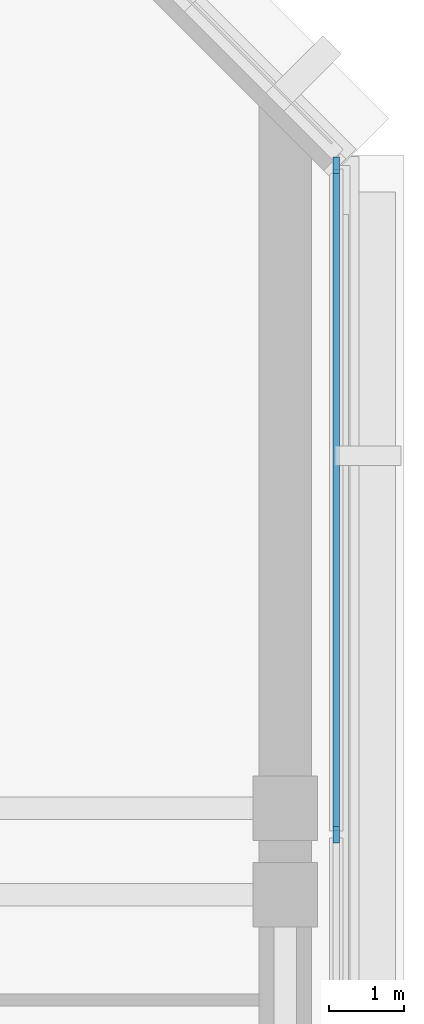
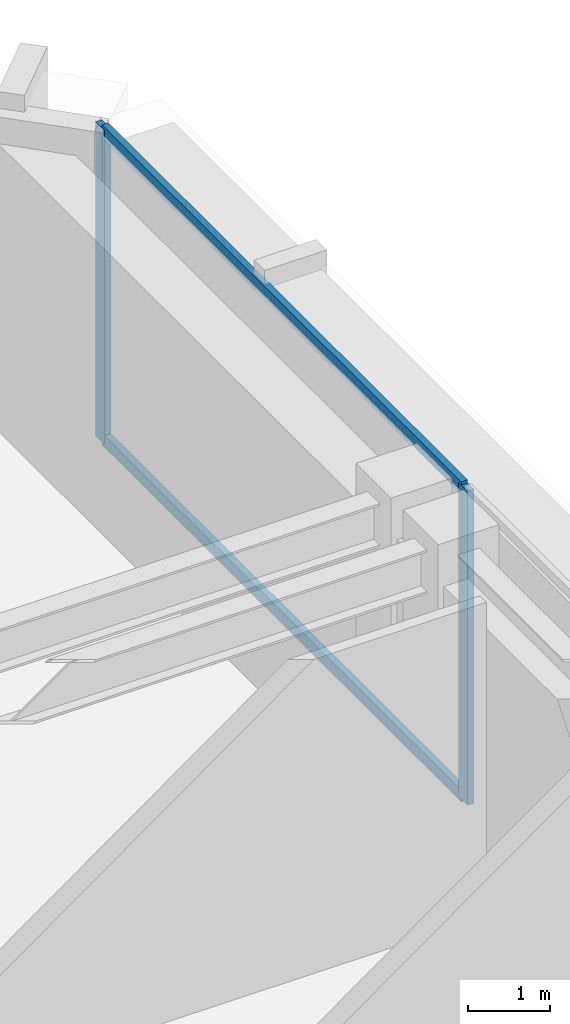
# One storey, part 5 of 12: 4 members, 1 element without a shape of its own.
"""IFC4 building model written with IfcOpenShell, lengths in metres."""

from ifc_helpers import new_model, si_unit, direction, frame, origin, origin_2d, place, context, subcontext, project, spatial, rectangle, extrude, material, layer, layer_set, material_profile, profile_set, type_object, element, aggregate, save


model = new_model("IFC4")

# Units and contexts
model_context = context("Model", 3, precision=1e-05, world=origin(), true_north=direction((0.0, 1.0)))
body_context = subcontext(model_context, "Body", "Model", "MODEL_VIEW")
ifc_project = project(units=[si_unit("LENGTHUNIT", "METRE"), si_unit("AREAUNIT", "SQUARE_METRE"), si_unit("VOLUMEUNIT", "CUBIC_METRE"), si_unit("PLANEANGLEUNIT", "RADIAN"), si_unit("MASSUNIT", "GRAM", prefix="KILO")], contexts=[model_context])

# Site, building, storey
site_placement = place(None, origin())
site = spatial("IfcSite", under=ifc_project, at=site_placement, CompositionType="ELEMENT")
building_placement = place(site_placement, origin())
building = spatial("IfcBuilding", under=site, at=building_placement, Name="Kefirva Bronze Tower", CompositionType="ELEMENT")
storey_placement = place(building_placement, frame((0.0, 0.0, 174.570068359375)))
storey = spatial("IfcBuildingStorey", under=building, at=storey_placement, Name="L42", CompositionType="ELEMENT", Elevation=174.570068359375)

# Curtain wall, members
ifc_material = material(Name="Bronze anodised aluminium", Category="aluminium")
ifc_layer = layer(ifc_material, 0.219970703125, Name="Bronze anodised aluminium")
ifc_layer_set = layer_set([ifc_layer], Name="Bronze anodised aluminium")
curtain_wall_type = type_object("IfcCurtainWallType", Name="Refuge Acoustic Louvre Curtain Screen", PredefinedType="USERDEFINED", material=ifc_layer_set)
curtain_wall_placement = place(storey_placement, origin())
curtain_wall = element("IfcCurtainWall", 1, at=curtain_wall_placement, inside=storey, type_object=curtain_wall_type, Name="L42 Curtain Wall 4", ObjectType="LOUVRE SCREEN WALL", PredefinedType="USERDEFINED")
ifc_material_profile_1 = material_profile(ifc_material, rectangle(XDim=0.090087890625, YDim=0.219970703125, at=origin_2d()), Name="ALU 90x220")
ifc_profile_set_1 = profile_set([ifc_material_profile_1], Name="Bronze anodised aluminium")
member_type_1 = type_object("IfcMemberType", Name="Bronze Mullion 90x220", PredefinedType="MULLION", material=ifc_profile_set_1)
member_1_placement = place(storey_placement, frame((50.080078125, 34.0, 0.0), z_axis=(0.0, 0.0, 1.0), x_axis=(-1.0, 0.0, 0.0)))
member_1 = element("IfcMember", 2, at=member_1_placement, type_object=member_type_1, Name="CW-06 mullion 2", PredefinedType="MULLION", context=body_context, shape_type="SweptSolid", body=[
    extrude(rectangle(XDim=0.090087890625, YDim=0.219970703125, at=origin_2d()), origin(), (0.0, 0.0, 1.0), 4.699951171875),
])
member_2_placement = place(storey_placement, frame((50.080078125, 42.89990234375, 0.0), z_axis=(0.0, 0.0, 1.0), x_axis=(-1.0, 0.0, 0.0)))
member_2 = element("IfcMember", 3, at=member_2_placement, type_object=member_type_1, Name="CW-06 mullion 3", PredefinedType="MULLION", context=body_context, shape_type="SweptSolid", body=[
    extrude(rectangle(XDim=0.090087890625, YDim=0.219970703125, at=origin_2d()), origin(), (0.0, 0.0, 1.0), 4.699951171875),
])
ifc_material_profile_2 = material_profile(ifc_material, rectangle(XDim=0.090087890625, YDim=0.179931640625, at=origin_2d()), Name="ALU 90x180")
ifc_profile_set_2 = profile_set([ifc_material_profile_2], Name="Bronze anodised aluminium")
member_type_2 = type_object("IfcMemberType", Name="Bronze Transom 90x180", PredefinedType="USERDEFINED", material=ifc_profile_set_2)
member_3_placement = place(storey_placement, frame((50.080078125, 34.044921875, 0.044921875), z_axis=(0.0, 1.0, 0.0), x_axis=(-1.0, 0.0, 0.0)))
member_3 = element("IfcMember", 4, at=member_3_placement, type_object=member_type_2, Name="CW-06 transom 2.1", ObjectType="TRANSOM", PredefinedType="USERDEFINED", context=body_context, shape_type="SweptSolid", body=[
    extrude(rectangle(XDim=0.090087890625, YDim=0.179931640625, at=origin_2d()), origin(), (0.0, 0.0, 1.0), 8.81005859375),
])
member_4_placement = place(storey_placement, frame((50.080078125, 34.044921875, 4.655029296875), z_axis=(0.0, 1.0, 0.0), x_axis=(-1.0, 0.0, 0.0)))
member_4 = element("IfcMember", 5, at=member_4_placement, type_object=member_type_2, Name="CW-06 transom 2.2", ObjectType="TRANSOM", PredefinedType="USERDEFINED", context=body_context, shape_type="SweptSolid", body=[
    extrude(rectangle(XDim=0.090087890625, YDim=0.179931640625, at=origin_2d()), origin(), (0.0, 0.0, 1.0), 8.81005859375),
])
aggregate(curtain_wall, [member_1, member_2, member_3, member_4])

save(model, "model.ifc")
